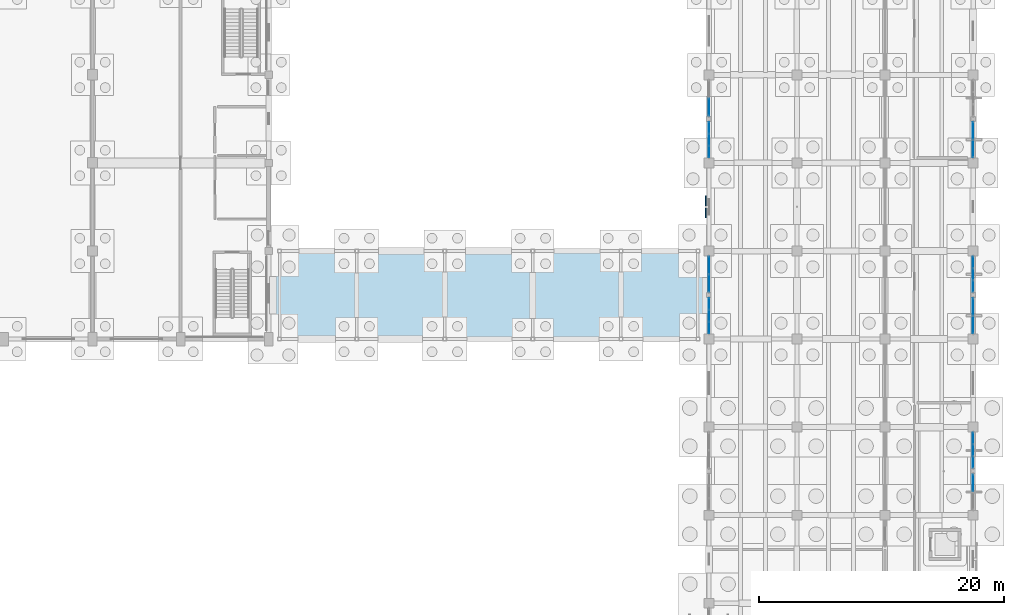
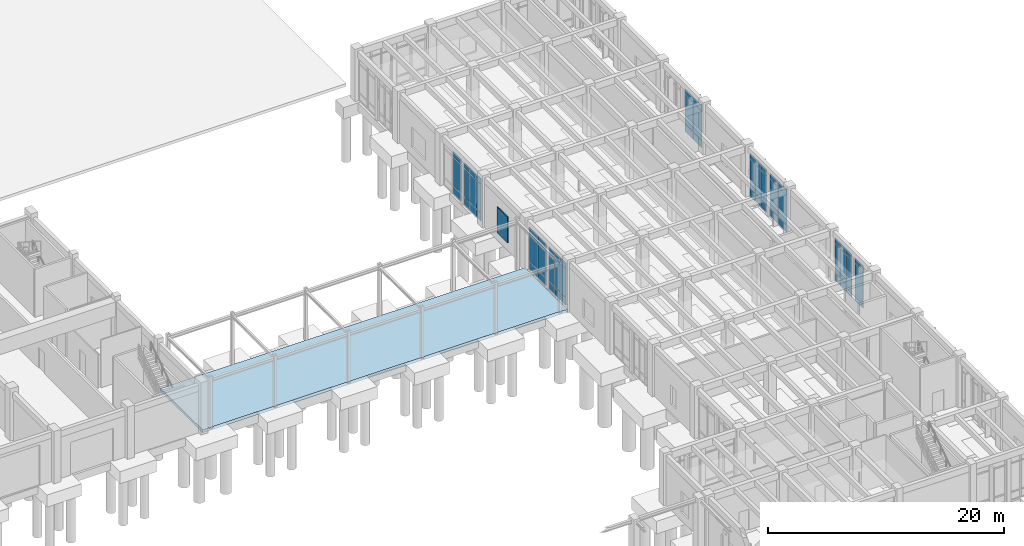
# One storey, part 59 of 93: 61 plates, 1 slab, 9 elements without a shape of their own.
"""IFC4 building model written with IfcOpenShell, lengths in metres."""

from ifc_helpers import new_model, si_unit, direction, frame, origin, origin_2d, place, context, subcontext, project, spatial, polyline, rectangle, outline, extrude, material, layer, layer_set, type_object, element, aggregate, save


model = new_model("IFC4")

# Units and contexts
model_context = context("Model", 3, precision=1e-05, world=origin(), true_north=direction((0.0, 1.0)))
body_context = subcontext(model_context, "Body", "Model", "MODEL_VIEW")
ifc_project = project(units=[si_unit("LENGTHUNIT", "METRE"), si_unit("AREAUNIT", "SQUARE_METRE"), si_unit("VOLUMEUNIT", "CUBIC_METRE"), si_unit("PLANEANGLEUNIT", "RADIAN"), si_unit("MASSUNIT", "GRAM", prefix="KILO")], contexts=[model_context])

# Site, building, storey
site_placement = place(None, origin())
site = spatial("IfcSite", under=ifc_project, at=site_placement, CompositionType="ELEMENT")
building_placement = place(site_placement, origin())
building = spatial("IfcBuilding", under=site, at=building_placement, Name="Koriwan Promenade Central Fire Station", CompositionType="ELEMENT")
storey_placement = place(building_placement, origin())
storey = spatial("IfcBuildingStorey", under=building, at=storey_placement, Name="L00", CompositionType="ELEMENT", Elevation=0.0)

# Slab
ifc_material_1 = material(Name="Concrete C35/45", Category="concrete")
ifc_layer_1 = layer(ifc_material_1, 0.300048828125, Name="Concrete C35/45")
ifc_layer_set_1 = layer_set([ifc_layer_1], Name="Concrete C35/45")
slab_type = type_object("IfcSlabType", Name="BaseSlab_300", PredefinedType="BASESLAB", material=ifc_layer_set_1)
slab_placement = place(storey_placement, frame((0.0, 0.0, -0.300048828125)))
element("IfcSlab", 1, at=slab_placement, inside=storey, type_object=slab_type, Name="Charbagh Courtyard Covered Passage ground deck", PredefinedType="BASESLAB", context=body_context, shape_type="SweptSolid", body=[
    extrude(outline(polyline([(115.35009765625, 43.239990234375), (151.050048828125, 43.239990234375), (151.050048828125, 50.360107421875), (115.35009765625, 50.360107421875), (115.35009765625, 43.239990234375)])), origin(), (0.0, 0.0, 1.0), 0.300048828125),
])

# Curtain wall, plates
ifc_material_2 = material(Name="Aluminium EN AW-6063-T6 and low-E glazing", Category="aluminium")
ifc_layer_2 = layer(ifc_material_2, 0.159912109375, Name="Aluminium EN AW-6063-T6 and low-E glazing")
ifc_layer_set_2 = layer_set([ifc_layer_2], Name="Aluminium EN AW-6063-T6 and low-E glazing")
curtain_wall_type_1 = type_object("IfcCurtainWallType", Name="CurtainWall_51_300x449", PredefinedType="USERDEFINED", material=ifc_layer_set_2)
curtain_wall_1_placement = place(storey_placement, origin())
curtain_wall_1 = element("IfcCurtainWall", 2, at=curtain_wall_1_placement, inside=storey, type_object=curtain_wall_type_1, Name="V5 L00 unitised curtain wall 139", ObjectType="UNITISED CURTAIN WALL", PredefinedType="USERDEFINED")
ifc_material_3 = material(Name="Blast-resistant laminated safety glazing", Category="glass")
ifc_layer_3 = layer(ifc_material_3, 0.035888671875, Name="Blast-resistant laminated safety glazing")
ifc_layer_set_3 = layer_set([ifc_layer_3], Name="Blast-resistant laminated safety glazing")
plate_type_1 = type_object("IfcPlateType", Name="CWPanel_36", PredefinedType="CURTAIN_PANEL", material=ifc_layer_set_3)
plate_1_placement = place(storey_placement, frame((151.199951171875, 44.1162109375, 0.06494140625), z_axis=(0.0, 0.0, 1.0), x_axis=(0.0, 1.0, 0.0)))
plate_1 = element("IfcPlate", 3, at=plate_1_placement, type_object=plate_type_1, Name="CW-51 panel 1.1", PredefinedType="CURTAIN_PANEL", context=body_context, shape_type="SweptSolid", body=[
    extrude(rectangle(XDim=0.902587890625, YDim=0.035888671875, at=origin_2d()), origin(), (0.0, 0.0, 1.0), 0.75244140625),
])
plate_2_placement = place(storey_placement, frame((151.199951171875, 44.1162109375, 0.88232421875), z_axis=(0.0, 0.0, 1.0), x_axis=(0.0, 1.0, 0.0)))
plate_2 = element("IfcPlate", 4, at=plate_2_placement, type_object=plate_type_1, Name="CW-51 panel 1.2", PredefinedType="CURTAIN_PANEL", context=body_context, shape_type="SweptSolid", body=[
    extrude(rectangle(XDim=0.902587890625, YDim=0.035888671875, at=origin_2d()), origin(), (0.0, 0.0, 1.0), 2.925048828125),
])
plate_3_placement = place(storey_placement, frame((151.199951171875, 44.1162109375, 3.87255859375), z_axis=(0.0, 0.0, 1.0), x_axis=(0.0, 1.0, 0.0)))
plate_3 = element("IfcPlate", 5, at=plate_3_placement, type_object=plate_type_1, Name="CW-51 panel 1.3", PredefinedType="CURTAIN_PANEL", context=body_context, shape_type="SweptSolid", body=[
    extrude(rectangle(XDim=0.902587890625, YDim=0.035888671875, at=origin_2d()), origin(), (0.0, 0.0, 1.0), 0.552490234375),
])
plate_4_placement = place(storey_placement, frame((151.199951171875, 45.10009765625, 0.06494140625), z_axis=(0.0, 0.0, 1.0), x_axis=(0.0, 1.0, 0.0)))
plate_4 = element("IfcPlate", 6, at=plate_4_placement, type_object=plate_type_1, Name="CW-51 panel 2.1", PredefinedType="CURTAIN_PANEL", context=body_context, shape_type="SweptSolid", body=[
    extrude(rectangle(XDim=0.93505859375, YDim=0.035888671875, at=origin_2d()), origin(), (0.0, 0.0, 1.0), 0.75244140625),
])
plate_5_placement = place(storey_placement, frame((151.199951171875, 45.10009765625, 0.88232421875), z_axis=(0.0, 0.0, 1.0), x_axis=(0.0, 1.0, 0.0)))
plate_5 = element("IfcPlate", 7, at=plate_5_placement, type_object=plate_type_1, Name="CW-51 panel 2.2", PredefinedType="CURTAIN_PANEL", context=body_context, shape_type="SweptSolid", body=[
    extrude(rectangle(XDim=0.93505859375, YDim=0.035888671875, at=origin_2d()), origin(), (0.0, 0.0, 1.0), 2.925048828125),
])
plate_6_placement = place(storey_placement, frame((151.199951171875, 45.10009765625, 3.87255859375), z_axis=(0.0, 0.0, 1.0), x_axis=(0.0, 1.0, 0.0)))
plate_6 = element("IfcPlate", 8, at=plate_6_placement, type_object=plate_type_1, Name="CW-51 panel 2.3", PredefinedType="CURTAIN_PANEL", context=body_context, shape_type="SweptSolid", body=[
    extrude(rectangle(XDim=0.93505859375, YDim=0.035888671875, at=origin_2d()), origin(), (0.0, 0.0, 1.0), 0.552490234375),
])
plate_7_placement = place(storey_placement, frame((151.199951171875, 46.083740234375, 0.06494140625), z_axis=(0.0, 0.0, 1.0), x_axis=(0.0, 1.0, 0.0)))
plate_7 = element("IfcPlate", 9, at=plate_7_placement, type_object=plate_type_1, Name="CW-51 panel 3.1", PredefinedType="CURTAIN_PANEL", context=body_context, shape_type="SweptSolid", body=[
    extrude(rectangle(XDim=0.902587890625, YDim=0.035888671875, at=origin_2d()), origin(), (0.0, 0.0, 1.0), 0.75244140625),
])
plate_8_placement = place(storey_placement, frame((151.199951171875, 46.083740234375, 0.88232421875), z_axis=(0.0, 0.0, 1.0), x_axis=(0.0, 1.0, 0.0)))
plate_8 = element("IfcPlate", 10, at=plate_8_placement, type_object=plate_type_1, Name="CW-51 panel 3.2", PredefinedType="CURTAIN_PANEL", context=body_context, shape_type="SweptSolid", body=[
    extrude(rectangle(XDim=0.902587890625, YDim=0.035888671875, at=origin_2d()), origin(), (0.0, 0.0, 1.0), 2.925048828125),
])
plate_9_placement = place(storey_placement, frame((151.199951171875, 46.083740234375, 3.87255859375), z_axis=(0.0, 0.0, 1.0), x_axis=(0.0, 1.0, 0.0)))
plate_9 = element("IfcPlate", 11, at=plate_9_placement, type_object=plate_type_1, Name="CW-51 panel 3.3", PredefinedType="CURTAIN_PANEL", context=body_context, shape_type="SweptSolid", body=[
    extrude(rectangle(XDim=0.902587890625, YDim=0.035888671875, at=origin_2d()), origin(), (0.0, 0.0, 1.0), 0.552490234375),
])
aggregate(curtain_wall_1, [plate_1, plate_2, plate_3, plate_4, plate_5, plate_6, plate_7, plate_8, plate_9])

ifc_layer_4 = layer(ifc_material_2, 0.159912109375, Name="Aluminium EN AW-6063-T6 and low-E glazing")
ifc_layer_set_4 = layer_set([ifc_layer_4], Name="Aluminium EN AW-6063-T6 and low-E glazing")
curtain_wall_type_2 = type_object("IfcCurtainWallType", Name="CurtainWall_52_300x449", PredefinedType="USERDEFINED", material=ifc_layer_set_4)
curtain_wall_2_placement = place(storey_placement, origin())
curtain_wall_2 = element("IfcCurtainWall", 12, at=curtain_wall_2_placement, inside=storey, type_object=curtain_wall_type_2, Name="V5 L00 unitised curtain wall 140", ObjectType="UNITISED CURTAIN WALL", PredefinedType="USERDEFINED")
plate_10_placement = place(storey_placement, frame((151.199951171875, 47.768798828125, 0.0751953125), z_axis=(0.0, 0.0, 1.0), x_axis=(0.0, 1.0, 0.0)))
plate_10 = element("IfcPlate", 13, at=plate_10_placement, type_object=plate_type_1, Name="CW-52 panel 1.1", PredefinedType="CURTAIN_PANEL", context=body_context, shape_type="SweptSolid", body=[
    extrude(rectangle(XDim=1.387451171875, YDim=0.035888671875, at=origin_2d()), origin(), (0.0, 0.0, 1.0), 0.737548828125),
])
plate_11_placement = place(storey_placement, frame((151.199951171875, 47.768798828125, 0.887451171875), z_axis=(0.0, 0.0, 1.0), x_axis=(0.0, 1.0, 0.0)))
plate_11 = element("IfcPlate", 14, at=plate_11_placement, type_object=plate_type_1, Name="CW-52 panel 1.2", PredefinedType="CURTAIN_PANEL", context=body_context, shape_type="SweptSolid", body=[
    extrude(rectangle(XDim=1.387451171875, YDim=0.035888671875, at=origin_2d()), origin(), (0.0, 0.0, 1.0), 2.9150390625),
])
plate_12_placement = place(storey_placement, frame((151.199951171875, 47.768798828125, 3.87744140625), z_axis=(0.0, 0.0, 1.0), x_axis=(0.0, 1.0, 0.0)))
plate_12 = element("IfcPlate", 15, at=plate_12_placement, type_object=plate_type_1, Name="CW-52 panel 1.3", PredefinedType="CURTAIN_PANEL", context=body_context, shape_type="SweptSolid", body=[
    extrude(rectangle(XDim=1.387451171875, YDim=0.035888671875, at=origin_2d()), origin(), (0.0, 0.0, 1.0), 0.53759765625),
])
plate_13_placement = place(storey_placement, frame((151.199951171875, 49.231201171875, 0.0751953125), z_axis=(0.0, 0.0, 1.0), x_axis=(0.0, 1.0, 0.0)))
plate_13 = element("IfcPlate", 16, at=plate_13_placement, type_object=plate_type_1, Name="CW-52 panel 2.1", PredefinedType="CURTAIN_PANEL", context=body_context, shape_type="SweptSolid", body=[
    extrude(rectangle(XDim=1.387451171875, YDim=0.035888671875, at=origin_2d()), origin(), (0.0, 0.0, 1.0), 0.737548828125),
])
plate_14_placement = place(storey_placement, frame((151.199951171875, 49.231201171875, 0.887451171875), z_axis=(0.0, 0.0, 1.0), x_axis=(0.0, 1.0, 0.0)))
plate_14 = element("IfcPlate", 17, at=plate_14_placement, type_object=plate_type_1, Name="CW-52 panel 2.2", PredefinedType="CURTAIN_PANEL", context=body_context, shape_type="SweptSolid", body=[
    extrude(rectangle(XDim=1.387451171875, YDim=0.035888671875, at=origin_2d()), origin(), (0.0, 0.0, 1.0), 2.9150390625),
])
plate_15_placement = place(storey_placement, frame((151.199951171875, 49.231201171875, 3.87744140625), z_axis=(0.0, 0.0, 1.0), x_axis=(0.0, 1.0, 0.0)))
plate_15 = element("IfcPlate", 18, at=plate_15_placement, type_object=plate_type_1, Name="CW-52 panel 2.3", PredefinedType="CURTAIN_PANEL", context=body_context, shape_type="SweptSolid", body=[
    extrude(rectangle(XDim=1.387451171875, YDim=0.035888671875, at=origin_2d()), origin(), (0.0, 0.0, 1.0), 0.53759765625),
])
aggregate(curtain_wall_2, [plate_10, plate_11, plate_12, plate_13, plate_14, plate_15])

curtain_wall_3_placement = place(storey_placement, origin())
curtain_wall_3 = element("IfcCurtainWall", 19, at=curtain_wall_3_placement, inside=storey, type_object=curtain_wall_type_1, Name="V5 L00 unitised curtain wall 141", ObjectType="UNITISED CURTAIN WALL", PredefinedType="USERDEFINED")
plate_16_placement = place(storey_placement, frame((151.199951171875, 58.516357421875, 0.06494140625), z_axis=(0.0, 0.0, 1.0), x_axis=(0.0, 1.0, 0.0)))
plate_16 = element("IfcPlate", 20, at=plate_16_placement, type_object=plate_type_1, Name="CW-51 panel 1.1", PredefinedType="CURTAIN_PANEL", context=body_context, shape_type="SweptSolid", body=[
    extrude(rectangle(XDim=0.902587890625, YDim=0.035888671875, at=origin_2d()), origin(), (0.0, 0.0, 1.0), 0.75244140625),
])
plate_17_placement = place(storey_placement, frame((151.199951171875, 58.516357421875, 0.88232421875), z_axis=(0.0, 0.0, 1.0), x_axis=(0.0, 1.0, 0.0)))
plate_17 = element("IfcPlate", 21, at=plate_17_placement, type_object=plate_type_1, Name="CW-51 panel 1.2", PredefinedType="CURTAIN_PANEL", context=body_context, shape_type="SweptSolid", body=[
    extrude(rectangle(XDim=0.902587890625, YDim=0.035888671875, at=origin_2d()), origin(), (0.0, 0.0, 1.0), 2.925048828125),
])
plate_18_placement = place(storey_placement, frame((151.199951171875, 58.516357421875, 3.87255859375), z_axis=(0.0, 0.0, 1.0), x_axis=(0.0, 1.0, 0.0)))
plate_18 = element("IfcPlate", 22, at=plate_18_placement, type_object=plate_type_1, Name="CW-51 panel 1.3", PredefinedType="CURTAIN_PANEL", context=body_context, shape_type="SweptSolid", body=[
    extrude(rectangle(XDim=0.902587890625, YDim=0.035888671875, at=origin_2d()), origin(), (0.0, 0.0, 1.0), 0.552490234375),
])
plate_19_placement = place(storey_placement, frame((151.199951171875, 59.5, 0.06494140625), z_axis=(0.0, 0.0, 1.0), x_axis=(0.0, 1.0, 0.0)))
plate_19 = element("IfcPlate", 23, at=plate_19_placement, type_object=plate_type_1, Name="CW-51 panel 2.1", PredefinedType="CURTAIN_PANEL", context=body_context, shape_type="SweptSolid", body=[
    extrude(rectangle(XDim=0.93505859375, YDim=0.035888671875, at=origin_2d()), origin(), (0.0, 0.0, 1.0), 0.75244140625),
])
plate_20_placement = place(storey_placement, frame((151.199951171875, 59.5, 0.88232421875), z_axis=(0.0, 0.0, 1.0), x_axis=(0.0, 1.0, 0.0)))
plate_20 = element("IfcPlate", 24, at=plate_20_placement, type_object=plate_type_1, Name="CW-51 panel 2.2", PredefinedType="CURTAIN_PANEL", context=body_context, shape_type="SweptSolid", body=[
    extrude(rectangle(XDim=0.93505859375, YDim=0.035888671875, at=origin_2d()), origin(), (0.0, 0.0, 1.0), 2.925048828125),
])
plate_21_placement = place(storey_placement, frame((151.199951171875, 59.5, 3.87255859375), z_axis=(0.0, 0.0, 1.0), x_axis=(0.0, 1.0, 0.0)))
plate_21 = element("IfcPlate", 25, at=plate_21_placement, type_object=plate_type_1, Name="CW-51 panel 2.3", PredefinedType="CURTAIN_PANEL", context=body_context, shape_type="SweptSolid", body=[
    extrude(rectangle(XDim=0.93505859375, YDim=0.035888671875, at=origin_2d()), origin(), (0.0, 0.0, 1.0), 0.552490234375),
])
plate_22_placement = place(storey_placement, frame((151.199951171875, 60.483642578125, 0.06494140625), z_axis=(0.0, 0.0, 1.0), x_axis=(0.0, 1.0, 0.0)))
plate_22 = element("IfcPlate", 26, at=plate_22_placement, type_object=plate_type_1, Name="CW-51 panel 3.1", PredefinedType="CURTAIN_PANEL", context=body_context, shape_type="SweptSolid", body=[
    extrude(rectangle(XDim=0.902587890625, YDim=0.035888671875, at=origin_2d()), origin(), (0.0, 0.0, 1.0), 0.75244140625),
])
plate_23_placement = place(storey_placement, frame((151.199951171875, 60.483642578125, 0.88232421875), z_axis=(0.0, 0.0, 1.0), x_axis=(0.0, 1.0, 0.0)))
plate_23 = element("IfcPlate", 27, at=plate_23_placement, type_object=plate_type_1, Name="CW-51 panel 3.2", PredefinedType="CURTAIN_PANEL", context=body_context, shape_type="SweptSolid", body=[
    extrude(rectangle(XDim=0.902587890625, YDim=0.035888671875, at=origin_2d()), origin(), (0.0, 0.0, 1.0), 2.925048828125),
])
plate_24_placement = place(storey_placement, frame((151.199951171875, 60.483642578125, 3.87255859375), z_axis=(0.0, 0.0, 1.0), x_axis=(0.0, 1.0, 0.0)))
plate_24 = element("IfcPlate", 28, at=plate_24_placement, type_object=plate_type_1, Name="CW-51 panel 3.3", PredefinedType="CURTAIN_PANEL", context=body_context, shape_type="SweptSolid", body=[
    extrude(rectangle(XDim=0.902587890625, YDim=0.035888671875, at=origin_2d()), origin(), (0.0, 0.0, 1.0), 0.552490234375),
])
aggregate(curtain_wall_3, [plate_16, plate_17, plate_18, plate_19, plate_20, plate_21, plate_22, plate_23, plate_24])

curtain_wall_4_placement = place(storey_placement, origin())
curtain_wall_4 = element("IfcCurtainWall", 29, at=curtain_wall_4_placement, inside=storey, type_object=curtain_wall_type_2, Name="V5 L00 unitised curtain wall 142", ObjectType="UNITISED CURTAIN WALL", PredefinedType="USERDEFINED")
plate_25_placement = place(storey_placement, frame((151.199951171875, 62.168701171875, 0.0751953125), z_axis=(0.0, 0.0, 1.0), x_axis=(0.0, 1.0, 0.0)))
plate_25 = element("IfcPlate", 30, at=plate_25_placement, type_object=plate_type_1, Name="CW-52 panel 1.1", PredefinedType="CURTAIN_PANEL", context=body_context, shape_type="SweptSolid", body=[
    extrude(rectangle(XDim=1.387451171875, YDim=0.035888671875, at=origin_2d()), origin(), (0.0, 0.0, 1.0), 0.737548828125),
])
plate_26_placement = place(storey_placement, frame((151.199951171875, 62.168701171875, 0.887451171875), z_axis=(0.0, 0.0, 1.0), x_axis=(0.0, 1.0, 0.0)))
plate_26 = element("IfcPlate", 31, at=plate_26_placement, type_object=plate_type_1, Name="CW-52 panel 1.2", PredefinedType="CURTAIN_PANEL", context=body_context, shape_type="SweptSolid", body=[
    extrude(rectangle(XDim=1.387451171875, YDim=0.035888671875, at=origin_2d()), origin(), (0.0, 0.0, 1.0), 2.9150390625),
])
plate_27_placement = place(storey_placement, frame((151.199951171875, 62.168701171875, 3.87744140625), z_axis=(0.0, 0.0, 1.0), x_axis=(0.0, 1.0, 0.0)))
plate_27 = element("IfcPlate", 32, at=plate_27_placement, type_object=plate_type_1, Name="CW-52 panel 1.3", PredefinedType="CURTAIN_PANEL", context=body_context, shape_type="SweptSolid", body=[
    extrude(rectangle(XDim=1.387451171875, YDim=0.035888671875, at=origin_2d()), origin(), (0.0, 0.0, 1.0), 0.53759765625),
])
aggregate(curtain_wall_4, [plate_25, plate_26, plate_27])

ifc_layer_5 = layer(ifc_material_2, 0.159912109375, Name="Aluminium EN AW-6063-T6 and low-E glazing")
ifc_layer_set_5 = layer_set([ifc_layer_5], Name="Aluminium EN AW-6063-T6 and low-E glazing")
curtain_wall_type_3 = type_object("IfcCurtainWallType", Name="CurtainWall_60_300x454", PredefinedType="USERDEFINED", material=ifc_layer_set_5)
curtain_wall_5_placement = place(storey_placement, origin())
curtain_wall_5 = element("IfcCurtainWall", 33, at=curtain_wall_5_placement, inside=storey, type_object=curtain_wall_type_3, Name="V5 L00 unitised curtain wall 152", ObjectType="UNITISED CURTAIN WALL", PredefinedType="USERDEFINED")
plate_28_placement = place(storey_placement, frame((172.800048828125, 60.231201171875, 0.0751953125), z_axis=(0.0, 0.0, 1.0), x_axis=(0.0, -1.0, 0.0)))
plate_28 = element("IfcPlate", 34, at=plate_28_placement, type_object=plate_type_1, Name="CW-60 panel 1.1", PredefinedType="CURTAIN_PANEL", context=body_context, shape_type="SweptSolid", body=[
    extrude(rectangle(XDim=1.387451171875, YDim=0.035888671875, at=origin_2d()), origin(), (0.0, 0.0, 1.0), 0.737548828125),
])
plate_29_placement = place(storey_placement, frame((172.800048828125, 60.231201171875, 0.8876953125), z_axis=(0.0, 0.0, 1.0), x_axis=(0.0, -1.0, 0.0)))
plate_29 = element("IfcPlate", 35, at=plate_29_placement, type_object=plate_type_1, Name="CW-60 panel 1.2", PredefinedType="CURTAIN_PANEL", context=body_context, shape_type="SweptSolid", body=[
    extrude(rectangle(XDim=1.387451171875, YDim=0.035888671875, at=origin_2d()), origin(), (0.0, 0.0, 1.0), 2.965087890625),
])
plate_30_placement = place(storey_placement, frame((172.800048828125, 60.231201171875, 3.927490234375), z_axis=(0.0, 0.0, 1.0), x_axis=(0.0, -1.0, 0.0)))
plate_30 = element("IfcPlate", 36, at=plate_30_placement, type_object=plate_type_1, Name="CW-60 panel 1.3", PredefinedType="CURTAIN_PANEL", context=body_context, shape_type="SweptSolid", body=[
    extrude(rectangle(XDim=1.387451171875, YDim=0.035888671875, at=origin_2d()), origin(), (0.0, 0.0, 1.0), 0.53759765625),
])
plate_31_placement = place(storey_placement, frame((172.800048828125, 58.768798828125, 0.0751953125), z_axis=(0.0, 0.0, 1.0), x_axis=(0.0, -1.0, 0.0)))
plate_31 = element("IfcPlate", 37, at=plate_31_placement, type_object=plate_type_1, Name="CW-60 panel 2.1", PredefinedType="CURTAIN_PANEL", context=body_context, shape_type="SweptSolid", body=[
    extrude(rectangle(XDim=1.387451171875, YDim=0.035888671875, at=origin_2d()), origin(), (0.0, 0.0, 1.0), 0.737548828125),
])
plate_32_placement = place(storey_placement, frame((172.800048828125, 58.768798828125, 0.8876953125), z_axis=(0.0, 0.0, 1.0), x_axis=(0.0, -1.0, 0.0)))
plate_32 = element("IfcPlate", 38, at=plate_32_placement, type_object=plate_type_1, Name="CW-60 panel 2.2", PredefinedType="CURTAIN_PANEL", context=body_context, shape_type="SweptSolid", body=[
    extrude(rectangle(XDim=1.387451171875, YDim=0.035888671875, at=origin_2d()), origin(), (0.0, 0.0, 1.0), 2.965087890625),
])
plate_33_placement = place(storey_placement, frame((172.800048828125, 58.768798828125, 3.927490234375), z_axis=(0.0, 0.0, 1.0), x_axis=(0.0, -1.0, 0.0)))
plate_33 = element("IfcPlate", 39, at=plate_33_placement, type_object=plate_type_1, Name="CW-60 panel 2.3", PredefinedType="CURTAIN_PANEL", context=body_context, shape_type="SweptSolid", body=[
    extrude(rectangle(XDim=1.387451171875, YDim=0.035888671875, at=origin_2d()), origin(), (0.0, 0.0, 1.0), 0.53759765625),
])
aggregate(curtain_wall_5, [plate_28, plate_29, plate_30, plate_31, plate_32, plate_33])

ifc_layer_6 = layer(ifc_material_2, 0.159912109375, Name="Aluminium EN AW-6063-T6 and low-E glazing")
ifc_layer_set_6 = layer_set([ifc_layer_6], Name="Aluminium EN AW-6063-T6 and low-E glazing")
curtain_wall_type_4 = type_object("IfcCurtainWallType", Name="CurtainWall_59_300x454", PredefinedType="USERDEFINED", material=ifc_layer_set_6)
curtain_wall_6_placement = place(storey_placement, origin())
curtain_wall_6 = element("IfcCurtainWall", 40, at=curtain_wall_6_placement, inside=storey, type_object=curtain_wall_type_4, Name="V5 L00 unitised curtain wall 153", ObjectType="UNITISED CURTAIN WALL", PredefinedType="USERDEFINED")
plate_34_placement = place(storey_placement, frame((172.800048828125, 49.483642578125, 0.06494140625), z_axis=(0.0, 0.0, 1.0), x_axis=(0.0, -1.0, 0.0)))
plate_34 = element("IfcPlate", 41, at=plate_34_placement, type_object=plate_type_1, Name="CW-59 panel 1.1", PredefinedType="CURTAIN_PANEL", context=body_context, shape_type="SweptSolid", body=[
    extrude(rectangle(XDim=0.902587890625, YDim=0.035888671875, at=origin_2d()), origin(), (0.0, 0.0, 1.0), 0.75244140625),
])
plate_35_placement = place(storey_placement, frame((172.800048828125, 49.483642578125, 0.882568359375), z_axis=(0.0, 0.0, 1.0), x_axis=(0.0, -1.0, 0.0)))
plate_35 = element("IfcPlate", 42, at=plate_35_placement, type_object=plate_type_1, Name="CW-59 panel 1.2", PredefinedType="CURTAIN_PANEL", context=body_context, shape_type="SweptSolid", body=[
    extrude(rectangle(XDim=0.902587890625, YDim=0.035888671875, at=origin_2d()), origin(), (0.0, 0.0, 1.0), 2.97509765625),
])
plate_36_placement = place(storey_placement, frame((172.800048828125, 49.483642578125, 3.92236328125), z_axis=(0.0, 0.0, 1.0), x_axis=(0.0, -1.0, 0.0)))
plate_36 = element("IfcPlate", 43, at=plate_36_placement, type_object=plate_type_1, Name="CW-59 panel 1.3", PredefinedType="CURTAIN_PANEL", context=body_context, shape_type="SweptSolid", body=[
    extrude(rectangle(XDim=0.902587890625, YDim=0.035888671875, at=origin_2d()), origin(), (0.0, 0.0, 1.0), 0.552490234375),
])
plate_37_placement = place(storey_placement, frame((172.800048828125, 48.5, 0.06494140625), z_axis=(0.0, 0.0, 1.0), x_axis=(0.0, -1.0, 0.0)))
plate_37 = element("IfcPlate", 44, at=plate_37_placement, type_object=plate_type_1, Name="CW-59 panel 2.1", PredefinedType="CURTAIN_PANEL", context=body_context, shape_type="SweptSolid", body=[
    extrude(rectangle(XDim=0.93505859375, YDim=0.035888671875, at=origin_2d()), origin(), (0.0, 0.0, 1.0), 0.75244140625),
])
plate_38_placement = place(storey_placement, frame((172.800048828125, 48.5, 0.882568359375), z_axis=(0.0, 0.0, 1.0), x_axis=(0.0, -1.0, 0.0)))
plate_38 = element("IfcPlate", 45, at=plate_38_placement, type_object=plate_type_1, Name="CW-59 panel 2.2", PredefinedType="CURTAIN_PANEL", context=body_context, shape_type="SweptSolid", body=[
    extrude(rectangle(XDim=0.93505859375, YDim=0.035888671875, at=origin_2d()), origin(), (0.0, 0.0, 1.0), 2.97509765625),
])
plate_39_placement = place(storey_placement, frame((172.800048828125, 48.5, 3.92236328125), z_axis=(0.0, 0.0, 1.0), x_axis=(0.0, -1.0, 0.0)))
plate_39 = element("IfcPlate", 46, at=plate_39_placement, type_object=plate_type_1, Name="CW-59 panel 2.3", PredefinedType="CURTAIN_PANEL", context=body_context, shape_type="SweptSolid", body=[
    extrude(rectangle(XDim=0.93505859375, YDim=0.035888671875, at=origin_2d()), origin(), (0.0, 0.0, 1.0), 0.552490234375),
])
plate_40_placement = place(storey_placement, frame((172.800048828125, 47.516357421875, 0.06494140625), z_axis=(0.0, 0.0, 1.0), x_axis=(0.0, -1.0, 0.0)))
plate_40 = element("IfcPlate", 47, at=plate_40_placement, type_object=plate_type_1, Name="CW-59 panel 3.1", PredefinedType="CURTAIN_PANEL", context=body_context, shape_type="SweptSolid", body=[
    extrude(rectangle(XDim=0.902587890625, YDim=0.035888671875, at=origin_2d()), origin(), (0.0, 0.0, 1.0), 0.75244140625),
])
plate_41_placement = place(storey_placement, frame((172.800048828125, 47.516357421875, 0.882568359375), z_axis=(0.0, 0.0, 1.0), x_axis=(0.0, -1.0, 0.0)))
plate_41 = element("IfcPlate", 48, at=plate_41_placement, type_object=plate_type_1, Name="CW-59 panel 3.2", PredefinedType="CURTAIN_PANEL", context=body_context, shape_type="SweptSolid", body=[
    extrude(rectangle(XDim=0.902587890625, YDim=0.035888671875, at=origin_2d()), origin(), (0.0, 0.0, 1.0), 2.97509765625),
])
plate_42_placement = place(storey_placement, frame((172.800048828125, 47.516357421875, 3.92236328125), z_axis=(0.0, 0.0, 1.0), x_axis=(0.0, -1.0, 0.0)))
plate_42 = element("IfcPlate", 49, at=plate_42_placement, type_object=plate_type_1, Name="CW-59 panel 3.3", PredefinedType="CURTAIN_PANEL", context=body_context, shape_type="SweptSolid", body=[
    extrude(rectangle(XDim=0.902587890625, YDim=0.035888671875, at=origin_2d()), origin(), (0.0, 0.0, 1.0), 0.552490234375),
])
aggregate(curtain_wall_6, [plate_34, plate_35, plate_36, plate_37, plate_38, plate_39, plate_40, plate_41, plate_42])

curtain_wall_7_placement = place(storey_placement, origin())
curtain_wall_7 = element("IfcCurtainWall", 50, at=curtain_wall_7_placement, inside=storey, type_object=curtain_wall_type_3, Name="V5 L00 unitised curtain wall 154", ObjectType="UNITISED CURTAIN WALL", PredefinedType="USERDEFINED")
plate_43_placement = place(storey_placement, frame((172.800048828125, 45.831298828125, 0.0751953125), z_axis=(0.0, 0.0, 1.0), x_axis=(0.0, -1.0, 0.0)))
plate_43 = element("IfcPlate", 51, at=plate_43_placement, type_object=plate_type_1, Name="CW-60 panel 1.1", PredefinedType="CURTAIN_PANEL", context=body_context, shape_type="SweptSolid", body=[
    extrude(rectangle(XDim=1.387451171875, YDim=0.035888671875, at=origin_2d()), origin(), (0.0, 0.0, 1.0), 0.737548828125),
])
plate_44_placement = place(storey_placement, frame((172.800048828125, 45.831298828125, 0.8876953125), z_axis=(0.0, 0.0, 1.0), x_axis=(0.0, -1.0, 0.0)))
plate_44 = element("IfcPlate", 52, at=plate_44_placement, type_object=plate_type_1, Name="CW-60 panel 1.2", PredefinedType="CURTAIN_PANEL", context=body_context, shape_type="SweptSolid", body=[
    extrude(rectangle(XDim=1.387451171875, YDim=0.035888671875, at=origin_2d()), origin(), (0.0, 0.0, 1.0), 2.965087890625),
])
plate_45_placement = place(storey_placement, frame((172.800048828125, 45.831298828125, 3.927490234375), z_axis=(0.0, 0.0, 1.0), x_axis=(0.0, -1.0, 0.0)))
plate_45 = element("IfcPlate", 53, at=plate_45_placement, type_object=plate_type_1, Name="CW-60 panel 1.3", PredefinedType="CURTAIN_PANEL", context=body_context, shape_type="SweptSolid", body=[
    extrude(rectangle(XDim=1.387451171875, YDim=0.035888671875, at=origin_2d()), origin(), (0.0, 0.0, 1.0), 0.53759765625),
])
plate_46_placement = place(storey_placement, frame((172.800048828125, 44.36865234375, 0.0751953125), z_axis=(0.0, 0.0, 1.0), x_axis=(0.0, -1.0, 0.0)))
plate_46 = element("IfcPlate", 54, at=plate_46_placement, type_object=plate_type_1, Name="CW-60 panel 2.1", PredefinedType="CURTAIN_PANEL", context=body_context, shape_type="SweptSolid", body=[
    extrude(rectangle(XDim=1.387451171875, YDim=0.035888671875, at=origin_2d()), origin(), (0.0, 0.0, 1.0), 0.737548828125),
])
plate_47_placement = place(storey_placement, frame((172.800048828125, 44.36865234375, 0.8876953125), z_axis=(0.0, 0.0, 1.0), x_axis=(0.0, -1.0, 0.0)))
plate_47 = element("IfcPlate", 55, at=plate_47_placement, type_object=plate_type_1, Name="CW-60 panel 2.2", PredefinedType="CURTAIN_PANEL", context=body_context, shape_type="SweptSolid", body=[
    extrude(rectangle(XDim=1.387451171875, YDim=0.035888671875, at=origin_2d()), origin(), (0.0, 0.0, 1.0), 2.965087890625),
])
plate_48_placement = place(storey_placement, frame((172.800048828125, 44.36865234375, 3.927490234375), z_axis=(0.0, 0.0, 1.0), x_axis=(0.0, -1.0, 0.0)))
plate_48 = element("IfcPlate", 56, at=plate_48_placement, type_object=plate_type_1, Name="CW-60 panel 2.3", PredefinedType="CURTAIN_PANEL", context=body_context, shape_type="SweptSolid", body=[
    extrude(rectangle(XDim=1.387451171875, YDim=0.035888671875, at=origin_2d()), origin(), (0.0, 0.0, 1.0), 0.53759765625),
])
aggregate(curtain_wall_7, [plate_43, plate_44, plate_45, plate_46, plate_47, plate_48])

curtain_wall_8_placement = place(storey_placement, origin())
curtain_wall_8 = element("IfcCurtainWall", 57, at=curtain_wall_8_placement, inside=storey, type_object=curtain_wall_type_4, Name="V5 L00 unitised curtain wall 155", ObjectType="UNITISED CURTAIN WALL", PredefinedType="USERDEFINED")
plate_49_placement = place(storey_placement, frame((172.800048828125, 35.083740234375, 0.06494140625), z_axis=(0.0, 0.0, 1.0), x_axis=(0.0, -1.0, 0.0)))
plate_49 = element("IfcPlate", 58, at=plate_49_placement, type_object=plate_type_1, Name="CW-59 panel 1.1", PredefinedType="CURTAIN_PANEL", context=body_context, shape_type="SweptSolid", body=[
    extrude(rectangle(XDim=0.902587890625, YDim=0.035888671875, at=origin_2d()), origin(), (0.0, 0.0, 1.0), 0.75244140625),
])
plate_50_placement = place(storey_placement, frame((172.800048828125, 35.083740234375, 0.882568359375), z_axis=(0.0, 0.0, 1.0), x_axis=(0.0, -1.0, 0.0)))
plate_50 = element("IfcPlate", 59, at=plate_50_placement, type_object=plate_type_1, Name="CW-59 panel 1.2", PredefinedType="CURTAIN_PANEL", context=body_context, shape_type="SweptSolid", body=[
    extrude(rectangle(XDim=0.902587890625, YDim=0.035888671875, at=origin_2d()), origin(), (0.0, 0.0, 1.0), 2.97509765625),
])
plate_51_placement = place(storey_placement, frame((172.800048828125, 35.083740234375, 3.92236328125), z_axis=(0.0, 0.0, 1.0), x_axis=(0.0, -1.0, 0.0)))
plate_51 = element("IfcPlate", 60, at=plate_51_placement, type_object=plate_type_1, Name="CW-59 panel 1.3", PredefinedType="CURTAIN_PANEL", context=body_context, shape_type="SweptSolid", body=[
    extrude(rectangle(XDim=0.902587890625, YDim=0.035888671875, at=origin_2d()), origin(), (0.0, 0.0, 1.0), 0.552490234375),
])
plate_52_placement = place(storey_placement, frame((172.800048828125, 34.10009765625, 0.06494140625), z_axis=(0.0, 0.0, 1.0), x_axis=(0.0, -1.0, 0.0)))
plate_52 = element("IfcPlate", 61, at=plate_52_placement, type_object=plate_type_1, Name="CW-59 panel 2.1", PredefinedType="CURTAIN_PANEL", context=body_context, shape_type="SweptSolid", body=[
    extrude(rectangle(XDim=0.93505859375, YDim=0.035888671875, at=origin_2d()), origin(), (0.0, 0.0, 1.0), 0.75244140625),
])
plate_53_placement = place(storey_placement, frame((172.800048828125, 34.10009765625, 0.882568359375), z_axis=(0.0, 0.0, 1.0), x_axis=(0.0, -1.0, 0.0)))
plate_53 = element("IfcPlate", 62, at=plate_53_placement, type_object=plate_type_1, Name="CW-59 panel 2.2", PredefinedType="CURTAIN_PANEL", context=body_context, shape_type="SweptSolid", body=[
    extrude(rectangle(XDim=0.93505859375, YDim=0.035888671875, at=origin_2d()), origin(), (0.0, 0.0, 1.0), 2.97509765625),
])
plate_54_placement = place(storey_placement, frame((172.800048828125, 34.10009765625, 3.92236328125), z_axis=(0.0, 0.0, 1.0), x_axis=(0.0, -1.0, 0.0)))
plate_54 = element("IfcPlate", 63, at=plate_54_placement, type_object=plate_type_1, Name="CW-59 panel 2.3", PredefinedType="CURTAIN_PANEL", context=body_context, shape_type="SweptSolid", body=[
    extrude(rectangle(XDim=0.93505859375, YDim=0.035888671875, at=origin_2d()), origin(), (0.0, 0.0, 1.0), 0.552490234375),
])
plate_55_placement = place(storey_placement, frame((172.800048828125, 33.1162109375, 0.06494140625), z_axis=(0.0, 0.0, 1.0), x_axis=(0.0, -1.0, 0.0)))
plate_55 = element("IfcPlate", 64, at=plate_55_placement, type_object=plate_type_1, Name="CW-59 panel 3.1", PredefinedType="CURTAIN_PANEL", context=body_context, shape_type="SweptSolid", body=[
    extrude(rectangle(XDim=0.902587890625, YDim=0.035888671875, at=origin_2d()), origin(), (0.0, 0.0, 1.0), 0.75244140625),
])
plate_56_placement = place(storey_placement, frame((172.800048828125, 33.1162109375, 0.882568359375), z_axis=(0.0, 0.0, 1.0), x_axis=(0.0, -1.0, 0.0)))
plate_56 = element("IfcPlate", 65, at=plate_56_placement, type_object=plate_type_1, Name="CW-59 panel 3.2", PredefinedType="CURTAIN_PANEL", context=body_context, shape_type="SweptSolid", body=[
    extrude(rectangle(XDim=0.902587890625, YDim=0.035888671875, at=origin_2d()), origin(), (0.0, 0.0, 1.0), 2.97509765625),
])
plate_57_placement = place(storey_placement, frame((172.800048828125, 33.1162109375, 3.92236328125), z_axis=(0.0, 0.0, 1.0), x_axis=(0.0, -1.0, 0.0)))
plate_57 = element("IfcPlate", 66, at=plate_57_placement, type_object=plate_type_1, Name="CW-59 panel 3.3", PredefinedType="CURTAIN_PANEL", context=body_context, shape_type="SweptSolid", body=[
    extrude(rectangle(XDim=0.902587890625, YDim=0.035888671875, at=origin_2d()), origin(), (0.0, 0.0, 1.0), 0.552490234375),
])
aggregate(curtain_wall_8, [plate_49, plate_50, plate_51, plate_52, plate_53, plate_54, plate_55, plate_56, plate_57])

curtain_wall_9_placement = place(storey_placement, origin())
curtain_wall_9 = element("IfcCurtainWall", 67, at=curtain_wall_9_placement, inside=storey, type_object=curtain_wall_type_3, Name="V5 L00 unitised curtain wall 156", ObjectType="UNITISED CURTAIN WALL", PredefinedType="USERDEFINED")
plate_58_placement = place(storey_placement, frame((172.800048828125, 31.43115234375, 0.0751953125), z_axis=(0.0, 0.0, 1.0), x_axis=(0.0, -1.0, 0.0)))
plate_58 = element("IfcPlate", 68, at=plate_58_placement, type_object=plate_type_1, Name="CW-60 panel 1.1", PredefinedType="CURTAIN_PANEL", context=body_context, shape_type="SweptSolid", body=[
    extrude(rectangle(XDim=1.387451171875, YDim=0.035888671875, at=origin_2d()), origin(), (0.0, 0.0, 1.0), 0.737548828125),
])
plate_59_placement = place(storey_placement, frame((172.800048828125, 31.43115234375, 0.8876953125), z_axis=(0.0, 0.0, 1.0), x_axis=(0.0, -1.0, 0.0)))
plate_59 = element("IfcPlate", 69, at=plate_59_placement, type_object=plate_type_1, Name="CW-60 panel 1.2", PredefinedType="CURTAIN_PANEL", context=body_context, shape_type="SweptSolid", body=[
    extrude(rectangle(XDim=1.387451171875, YDim=0.035888671875, at=origin_2d()), origin(), (0.0, 0.0, 1.0), 2.965087890625),
])
plate_60_placement = place(storey_placement, frame((172.800048828125, 31.43115234375, 3.927490234375), z_axis=(0.0, 0.0, 1.0), x_axis=(0.0, -1.0, 0.0)))
plate_60 = element("IfcPlate", 70, at=plate_60_placement, type_object=plate_type_1, Name="CW-60 panel 1.3", PredefinedType="CURTAIN_PANEL", context=body_context, shape_type="SweptSolid", body=[
    extrude(rectangle(XDim=1.387451171875, YDim=0.035888671875, at=origin_2d()), origin(), (0.0, 0.0, 1.0), 0.53759765625),
])
aggregate(curtain_wall_9, [plate_58, plate_59, plate_60])

# Plate
ifc_material_4 = material(Name="Precast concrete C40/50", Category="concrete")
ifc_layer_7 = layer(ifc_material_4, 0.0849609375, Name="Precast concrete C40/50")
ifc_layer_set_7 = layer_set([ifc_layer_7], Name="Precast concrete C40/50")
plate_type_2 = type_object("IfcPlateType", Name="JaliScreen_JL-02", PredefinedType="USERDEFINED", material=ifc_layer_set_7)
plate_61_placement = place(storey_placement, frame((150.927490234375, 54.0, 0.919921875), z_axis=(0.0, 0.0, 1.0), x_axis=(0.0, 1.0, 0.0)))
element("IfcPlate", 71, at=plate_61_placement, inside=storey, type_object=plate_type_2, Name="V5 L00 Mughal jali screen 012", ObjectType="JALI SCREEN", PredefinedType="USERDEFINED", context=body_context, shape_type="SweptSolid", body=[
    extrude(rectangle(XDim=1.800048828125, YDim=0.0849609375, at=origin_2d()), origin(), (0.0, 0.0, 1.0), 2.699951171875),
])

save(model, "model.ifc")
